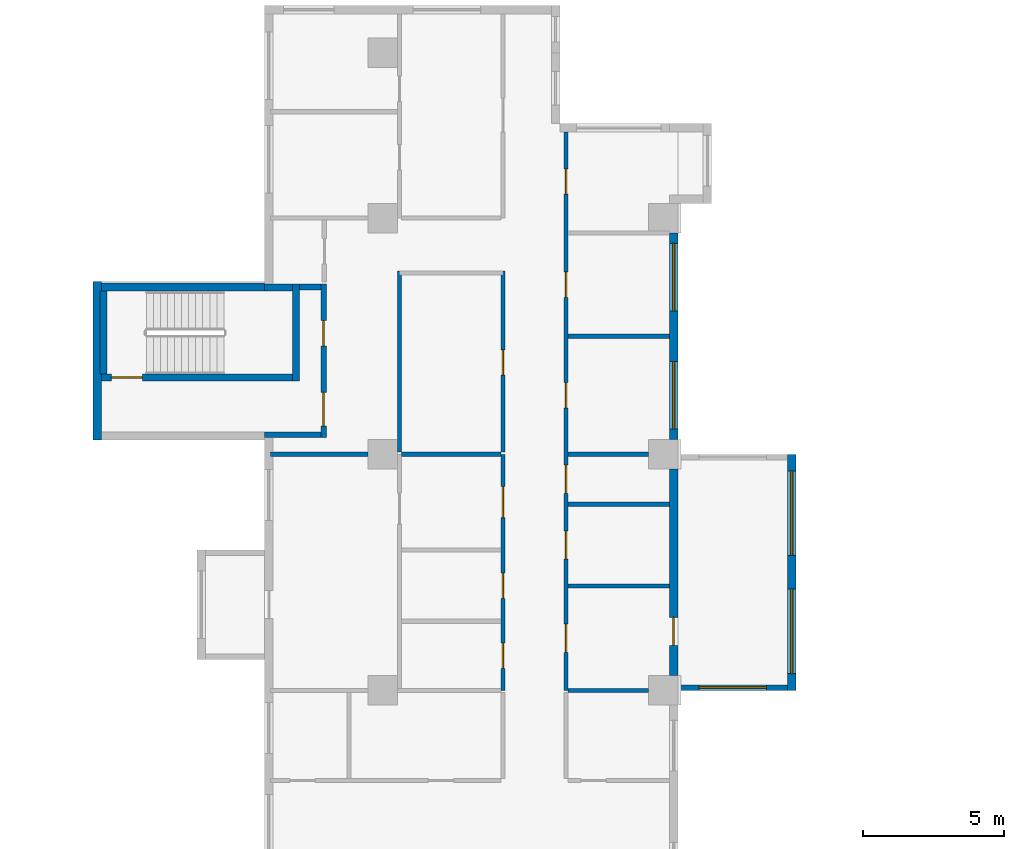
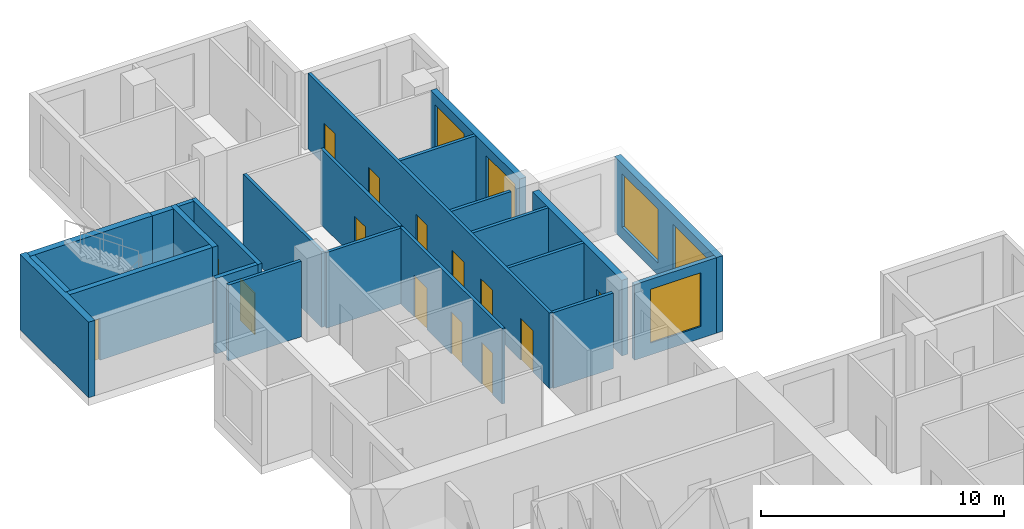
# One storey, part 7 of 15: 24 walls, 14 doors, 5 windows, 19 openings.
"""IFC4 building model written with IfcOpenShell, lengths in metres."""

import ifcopenshell
import ifcopenshell.guid

model = None  # the IFC model being written
_history = None  # IfcOwnerHistory: only IFC2X3 demands one
_inside = {}  # id of a spatial element -> (the spatial element, [elements in it])
_under = {}  # id of a project, library or spatial element -> (it, [spatial elements below it])
_declared = {}  # id of a project -> (the project, [libraries it declares])
_typed = {}  # id of a type object -> (the type object, [elements of that type])
_made_of = {}  # id of a material, layer set ... -> (it, [elements and type objects made of it])


def new_model(schema):
    """Start an empty IFC model of exactly this schema.

    Asked for "IFC4X3", IfcOpenShell would pick the latest addendum, in which some entities
    have other attributes; the version numbers below select the first issue.
    IFC2X3 requires an IfcOwnerHistory on every rooted entity: one is made here for all.
    """
    global model, _history
    if schema == "IFC4X3":
        model = ifcopenshell.file(schema_version=(4, 3, 0, 0))
    else:
        model = ifcopenshell.file(schema=schema)
    _inside.clear()
    _under.clear()
    _declared.clear()
    _typed.clear()
    _made_of.clear()
    _history = None
    if model.schema == "IFC2X3":
        org = make("IfcOrganization", Name="unknown")
        user = make(
            "IfcPersonAndOrganization",
            ThePerson=make("IfcPerson", FamilyName="unknown"),
            TheOrganization=org,
        )
        app = make(
            "IfcApplication",
            ApplicationDeveloper=org,
            Version="unknown",
            ApplicationFullName="unknown",
            ApplicationIdentifier="unknown",
        )
        _history = make(
            "IfcOwnerHistory",
            OwningUser=user,
            OwningApplication=app,
            ChangeAction="ADDED",
            CreationDate=0,
        )
    return model


def make(cls, **values):
    """One entity of the class cls with the attributes given. An attribute that is None is left unset."""
    return model.create_entity(
        cls, **{name: value for name, value in values.items() if value is not None}
    )


def rooted(cls, **values):
    """An entity with a GlobalId (a new one), such as an element, a storey or a relation."""
    return make(cls, GlobalId=ifcopenshell.guid.new(), OwnerHistory=_history, **values)


def si_unit(unit_type, name, prefix=None):
    """IfcSIUnit, for example si_unit("LENGTHUNIT", "METRE", prefix="MILLI")."""
    return make("IfcSIUnit", UnitType=unit_type, Prefix=prefix, Name=name)


def assignment(units):
    """IfcUnitAssignment: the units of a project."""
    return None if units is None else make("IfcUnitAssignment", Units=units)


def point(xyz):
    """IfcCartesianPoint."""
    return None if xyz is None else make("IfcCartesianPoint", Coordinates=xyz)


def direction(xyz):
    """IfcDirection."""
    return None if xyz is None else make("IfcDirection", DirectionRatios=xyz)


def frame(location, z_axis=None, x_axis=None):
    """IfcAxis2Placement3D, a coordinate frame: its origin and axes. An axis left out is left unset."""
    return make(
        "IfcAxis2Placement3D",
        Location=point(location),
        Axis=direction(z_axis),
        RefDirection=direction(x_axis),
    )


def frame_2d(location, x_axis=None):
    """IfcAxis2Placement2D, a coordinate frame in the plane: its origin and x axis."""
    return make(
        "IfcAxis2Placement2D", Location=point(location), RefDirection=direction(x_axis)
    )


def origin():
    """The frame at (0, 0, 0) with its axes left unset."""
    return frame((0.0, 0.0, 0.0))


def place(relative_to, where):
    """IfcLocalPlacement: puts the frame where relative to a parent placement (None: the world)."""
    return make(
        "IfcLocalPlacement", PlacementRelTo=relative_to, RelativePlacement=where
    )


def context(
    kind, dimensions, precision=None, world=None, true_north=None, identifier=None
):
    """IfcGeometricRepresentationContext, for example the 3D "Model" context."""
    return make(
        "IfcGeometricRepresentationContext",
        ContextIdentifier=identifier,
        ContextType=kind,
        CoordinateSpaceDimension=dimensions,
        Precision=precision,
        WorldCoordinateSystem=world,
        TrueNorth=true_north,
    )


def subcontext(parent, identifier, kind, view, scale=None):
    """IfcGeometricRepresentationSubContext, for example "Body" below "Model"."""
    return make(
        "IfcGeometricRepresentationSubContext",
        ContextIdentifier=identifier,
        ContextType=kind,
        ParentContext=parent,
        TargetScale=scale,
        TargetView=view,
    )


def project(units=None, contexts=None):
    """IfcProject with its units and contexts."""
    return rooted(
        "IfcProject",
        Name="project",
        RepresentationContexts=contexts,
        UnitsInContext=assignment(units),
    )


def spatial(cls, under=None, at=None, **own):
    """A site, building, storey or space (cls), placed at a placement, below another one or the project."""
    s = rooted(cls, ObjectPlacement=at, **own)
    if under is not None:
        _under.setdefault(under.id(), (under, []))[1].append(s)
    return s


def profile(cls, at=None, kind="AREA", **sizes):
    """A parametric profile (cls). Its sizes go by their IFC names, for example OverallWidth=200.0."""
    return make(cls, ProfileType=kind, Position=at, **sizes)


def rectangle(**sizes):
    """IfcRectangleProfileDef."""
    return profile("IfcRectangleProfileDef", **sizes)


def extrude(swept, where, along, depth):
    """IfcExtrudedAreaSolid: the profile swept, set in the frame where, extruded along a direction by depth."""
    return make(
        "IfcExtrudedAreaSolid",
        SweptArea=swept,
        Position=where,
        ExtrudedDirection=direction(along),
        Depth=depth,
    )


def shape(context_of_items, identifier, shape_type, items):
    """IfcShapeRepresentation: the items that make up one representation, for example the "Body"."""
    return make(
        "IfcShapeRepresentation",
        ContextOfItems=context_of_items,
        RepresentationIdentifier=identifier,
        RepresentationType=shape_type,
        Items=items,
    )


def source(mapping_origin, context_of_items, identifier, shape_type, items):
    """IfcRepresentationMap: a shape defined once, which mapped items show again and again."""
    return make(
        "IfcRepresentationMap",
        MappingOrigin=mapping_origin,
        MappedRepresentation=shape(context_of_items, identifier, shape_type, items),
    )


def transform(
    local_origin,
    x_axis=None,
    y_axis=None,
    z_axis=None,
    scale=None,
    scale2=None,
    scale3=None,
    uniform=True,
):
    """IfcCartesianTransformationOperator3D, or its non-uniform kind. x_axis, y_axis, z_axis: its Axis1, 2, 3."""
    if uniform:
        return make(
            "IfcCartesianTransformationOperator3D",
            Axis1=direction(x_axis),
            Axis2=direction(y_axis),
            LocalOrigin=point(local_origin),
            Scale=scale,
            Axis3=direction(z_axis),
        )
    return make(
        "IfcCartesianTransformationOperator3DnonUniform",
        Axis1=direction(x_axis),
        Axis2=direction(y_axis),
        LocalOrigin=point(local_origin),
        Scale=scale,
        Axis3=direction(z_axis),
        Scale2=scale2,
        Scale3=scale3,
    )


def mapped(mapping_source, mapping_target):
    """IfcMappedItem: shows the shape of a source again, moved by a transform."""
    return make(
        "IfcMappedItem", MappingSource=mapping_source, MappingTarget=mapping_target
    )


def material(Name=None, Category=None):
    """IfcMaterial."""
    return make("IfcMaterial", Name=Name, Category=Category)


def layer(
    of_material, thickness, ventilated=None, Name=None, Category=None, Priority=None
):
    """IfcMaterialLayer: one layer of a wall or slab, of a material (None: an air gap)."""
    return make(
        "IfcMaterialLayer",
        Material=of_material,
        LayerThickness=thickness,
        IsVentilated=ventilated,
        Name=Name,
        Category=Category,
        Priority=Priority,
    )


def layer_set(layers, Name=None):
    """IfcMaterialLayerSet."""
    return make("IfcMaterialLayerSet", MaterialLayers=layers, LayerSetName=Name)


def made_of(thing, what):
    """Note that an element or type object is made of a material, layer set ...; save() writes the relation."""
    if what is not None:
        _made_of.setdefault(what.id(), (what, []))[1].append(thing)
    return thing


def type_object(cls, material=None, **own):
    """A type object (cls), such as IfcWallType, which elements share."""
    return made_of(rooted(cls, **own), material)


def element(
    cls,
    number,
    at=None,
    inside=None,
    cuts=None,
    type_object=None,
    material=None,
    context=None,
    identifier="Body",
    shape_type=None,
    held_by="IfcProductDefinitionShape",
    body=None,
    shapes=None,
    **own,
):
    """One element of the class cls, such as IfcWall. Its Tag is "e" and its number.

    at: its placement. inside: the storey or other place that contains it. cuts: it is an
    opening in that element (IfcRelVoidsElement). A single representation is given by context,
    identifier, shape_type and body (its items); several are given by shapes. held_by: the class
    of the entity that holds the representations. save() writes the other relations.
    """
    e = rooted(cls, Tag="e%d" % number, ObjectPlacement=at, **own)
    if body is not None:
        shapes = [shape(context, identifier, shape_type, body)]
    if shapes is not None:
        e.Representation = make(held_by, Representations=shapes)
    if inside is not None:
        _inside.setdefault(inside.id(), (inside, []))[1].append(e)
    if cuts is not None:
        rooted(
            "IfcRelVoidsElement", RelatingBuildingElement=cuts, RelatedOpeningElement=e
        )
    if type_object is not None:
        _typed.setdefault(type_object.id(), (type_object, []))[1].append(e)
    return made_of(e, material)


def fill(opening, filler):
    """IfcRelFillsElement: the door or window that sits in an opening."""
    return rooted(
        "IfcRelFillsElement",
        RelatingOpeningElement=opening,
        RelatedBuildingElement=filler,
    )


def aggregate(whole, parts):
    """IfcRelAggregates: a whole, such as a stair, and the parts it consists of."""
    return rooted("IfcRelAggregates", RelatingObject=whole, RelatedObjects=parts)


def save(model, path):
    """Write the relations noted so far, then the file.

    IfcRelAggregates (storeys below a building ...), IfcRelContainedInSpatialStructure (elements
    in a storey), IfcRelDefinesByType, IfcRelAssociatesMaterial and IfcRelDeclares: one each for
    every whole, place, type object, material and project.
    """
    for whole, parts in _under.values():
        aggregate(whole, parts)
    for where, things in _inside.values():
        rooted(
            "IfcRelContainedInSpatialStructure",
            RelatedElements=things,
            RelatingStructure=where,
        )
    for kind, things in _typed.values():
        rooted("IfcRelDefinesByType", RelatedObjects=things, RelatingType=kind)
    for what, things in _made_of.values():
        rooted("IfcRelAssociatesMaterial", RelatedObjects=things, RelatingMaterial=what)
    for by, libraries in _declared.values():
        rooted("IfcRelDeclares", RelatingContext=by, RelatedDefinitions=libraries)
    model.write(path)


model = new_model("IFC4")

# Units and contexts
model_context = context("Model", 3, precision=1e-05, world=origin(), true_north=direction((0.0, 1.0)))
body_context = subcontext(model_context, "Body", "Model", "MODEL_VIEW")
ifc_project = project(units=[si_unit("LENGTHUNIT", "METRE"), si_unit("AREAUNIT", "SQUARE_METRE"), si_unit("VOLUMEUNIT", "CUBIC_METRE"), si_unit("PLANEANGLEUNIT", "RADIAN"), si_unit("MASSUNIT", "GRAM", prefix="KILO")], contexts=[model_context])

# Site, building, storey
site_placement = place(None, origin())
site = spatial("IfcSite", under=ifc_project, at=site_placement, CompositionType="ELEMENT")
building_placement = place(site_placement, origin())
building = spatial("IfcBuilding", under=site, at=building_placement, Name="Aurelian Terraces", CompositionType="ELEMENT")
storey_placement = place(building_placement, frame((0.0, 0.0, 137.1)))
storey = spatial("IfcBuildingStorey", under=building, at=storey_placement, Name="L30", CompositionType="ELEMENT", Elevation=137.1)

# Wall, opening, window
ifc_material_1 = material(Name="Concrete fc' 40 MPa", Category="concrete")
ifc_layer_1 = layer(ifc_material_1, 0.2)
ifc_layer_set_1 = layer_set([ifc_layer_1], Name="BOX BEARING WALL 200")
wall_type_1 = type_object("IfcWallType", Name="BOX BEARING WALL 200", PredefinedType="SOLIDWALL", material=ifc_layer_set_1)
shared_shape_1 = source(origin(), body_context, "Body", "SweptSolid", [
    extrude(rectangle(XDim=3.9, YDim=0.2, at=frame_2d((1.95, 0.0))), origin(), (0.0, 0.0, 1.0), 3.8),
])
wall_1_placement = place(storey_placement, frame((21.0, 29.5, 0.0), z_axis=(0.0, 0.0, 1.0), x_axis=(1.0, 0.0, 0.0)))
wall_1 = element("IfcWall", 1, at=wall_1_placement, inside=storey, type_object=wall_type_1, Name="Box return L30 J41.1", PredefinedType="SOLIDWALL", context=body_context, shape_type="MappedRepresentation", body=[
    mapped(shared_shape_1, transform((0.0, 0.0, 0.0), scale=1.0)),
])
shared_shape_2 = source(origin(), body_context, "Body", "SweptSolid", [
    extrude(rectangle(XDim=2.4, YDim=2.7, at=frame_2d((1.2, 1.35))), frame((0.0, 0.11, 0.0), z_axis=(0.0, -1.0, 0.0), x_axis=(1.0, 0.0, 0.0)), (0.0, 0.0, 1.0), 0.22),
])
opening_1_placement = place(wall_1_placement, frame((0.75, 0.0, 0.6)))
opening_1 = element("IfcOpeningElement", 2, at=opening_1_placement, cuts=wall_1, Name="Opening W2427", PredefinedType="OPENING", context=body_context, shape_type="MappedRepresentation", body=[
    mapped(shared_shape_2, transform((0.0, 0.0, 0.0), scale=1.0)),
])
ifc_material_2 = material(Name="Clear glazing", Category="glass")
window_type_1 = type_object("IfcWindowType", Name="W-2400x2700", PartitioningType="SINGLE_PANEL", PredefinedType="WINDOW", material=ifc_material_2)
shared_shape_3 = source(origin(), body_context, "Body", "SweptSolid", [
    extrude(rectangle(XDim=2.4, YDim=2.7, at=frame_2d((1.2, 1.35))), frame((0.0, 0.03, 0.0), z_axis=(0.0, -1.0, 0.0), x_axis=(1.0, 0.0, 0.0)), (0.0, 0.0, 1.0), 0.06),
])
window_1_placement = place(opening_1_placement, origin())
window_1 = element("IfcWindow", 3, at=window_1_placement, inside=storey, type_object=window_type_1, Name="Window L30 J41-S1", OverallHeight=2.7, OverallWidth=2.4, PartitioningType="SINGLE_PANEL", PredefinedType="WINDOW", context=body_context, shape_type="MappedRepresentation", body=[
    mapped(shared_shape_3, transform((0.0, 0.0, 0.0), scale=1.0)),
])
fill(opening_1, window_1)

# Wall, openings, windows
ifc_layer_2 = layer(ifc_material_1, 0.3)
ifc_layer_set_2 = layer_set([ifc_layer_2], Name="BOX BEARING WALL 300")
wall_type_2 = type_object("IfcWallType", Name="BOX BEARING WALL 300", PredefinedType="SOLIDWALL", material=ifc_layer_set_2)
shared_shape_4 = source(origin(), body_context, "Body", "SweptSolid", [
    extrude(rectangle(XDim=8.4, YDim=0.3, at=frame_2d((4.2, 0.0))), origin(), (0.0, 0.0, 1.0), 3.8),
])
wall_2_placement = place(storey_placement, frame((25.05, 29.4, 0.0), z_axis=(0.0, 0.0, 1.0), x_axis=(0.0, 1.0, 0.0)))
wall_2 = element("IfcWall", 4, at=wall_2_placement, inside=storey, type_object=wall_type_2, Name="Box wall L30 J41", PredefinedType="SOLIDWALL", context=body_context, shape_type="MappedRepresentation", body=[
    mapped(shared_shape_4, transform((0.0, 0.0, 0.0), scale=1.0)),
])
shared_shape_5 = source(origin(), body_context, "Body", "SweptSolid", [
    extrude(rectangle(XDim=3.0, YDim=2.7, at=frame_2d((1.5, 1.35))), frame((0.0, 0.16, 0.0), z_axis=(0.0, -1.0, 0.0), x_axis=(1.0, 0.0, 0.0)), (0.0, 0.0, 1.0), 0.32),
])
opening_2_placement = place(wall_2_placement, frame((0.6, 0.0, 0.6)))
opening_2 = element("IfcOpeningElement", 5, at=opening_2_placement, cuts=wall_2, Name="Opening W3027", PredefinedType="OPENING", context=body_context, shape_type="MappedRepresentation", body=[
    mapped(shared_shape_5, transform((0.0, 0.0, 0.0), scale=1.0)),
])
opening_3_placement = place(wall_2_placement, frame((4.8, 0.0, 0.6)))
opening_3 = element("IfcOpeningElement", 6, at=opening_3_placement, cuts=wall_2, Name="Opening W3027", PredefinedType="OPENING", context=body_context, shape_type="MappedRepresentation", body=[
    mapped(shared_shape_5, transform((0.0, 0.0, 0.0), scale=1.0)),
])
window_type_2 = type_object("IfcWindowType", Name="W-3000x2700", PartitioningType="SINGLE_PANEL", PredefinedType="WINDOW", material=ifc_material_2)
shared_shape_6 = source(origin(), body_context, "Body", "SweptSolid", [
    extrude(rectangle(XDim=3.0, YDim=2.7, at=frame_2d((1.5, 1.35))), frame((0.0, 0.03, 0.0), z_axis=(0.0, -1.0, 0.0), x_axis=(1.0, 0.0, 0.0)), (0.0, 0.0, 1.0), 0.06),
])
window_2_placement = place(opening_2_placement, origin())
window_2 = element("IfcWindow", 7, at=window_2_placement, inside=storey, type_object=window_type_2, Name="Window L30 J41-F1", OverallHeight=2.7, OverallWidth=3.0, PartitioningType="SINGLE_PANEL", PredefinedType="WINDOW", context=body_context, shape_type="MappedRepresentation", body=[
    mapped(shared_shape_6, transform((0.0, 0.0, 0.0), scale=1.0)),
])
fill(opening_2, window_2)
window_3_placement = place(opening_3_placement, origin())
window_3 = element("IfcWindow", 8, at=window_3_placement, inside=storey, type_object=window_type_2, Name="Window L30 J41-F2", OverallHeight=2.7, OverallWidth=3.0, PartitioningType="SINGLE_PANEL", PredefinedType="WINDOW", context=body_context, shape_type="MappedRepresentation", body=[
    mapped(shared_shape_6, transform((0.0, 0.0, 0.0), scale=1.0)),
])
fill(opening_3, window_3)

# Wall, opening, door
ifc_material_3 = material(Name="Terracotta rainscreen cladding", Category="masonry")
ifc_layer_3 = layer(ifc_material_3, 0.3)
ifc_layer_set_3 = layer_set([ifc_layer_3], Name="EW-300")
wall_type_3 = type_object("IfcWallType", Name="EW-300", PredefinedType="STANDARD", material=ifc_layer_set_3)
shared_shape_7 = source(origin(), body_context, "Body", "SweptSolid", [
    extrude(rectangle(XDim=7.35, YDim=0.3, at=frame_2d((3.675, 0.0))), origin(), (0.0, 0.0, 1.0), 3.8),
])
wall_3_placement = place(storey_placement, frame((20.85, 29.925, 0.0), z_axis=(0.0, 0.0, 1.0), x_axis=(0.0, 1.0, 0.0)))
wall_3 = element("IfcWall", 9, at=wall_3_placement, inside=storey, type_object=wall_type_3, Name="External wall L30 F08.22", PredefinedType="STANDARD", context=body_context, shape_type="MappedRepresentation", body=[
    mapped(shared_shape_7, transform((0.0, 0.0, 0.0), scale=1.0)),
])
shared_shape_8 = source(origin(), body_context, "Body", "SweptSolid", [
    extrude(rectangle(XDim=1.0, YDim=2.1, at=frame_2d((0.5, 1.05))), frame((0.0, 0.16, 0.0), z_axis=(0.0, -1.0, 0.0), x_axis=(1.0, 0.0, 0.0)), (0.0, 0.0, 1.0), 0.32),
])
opening_4_placement = place(wall_3_placement, frame((1.075, 0.0, 0.0)))
opening_4 = element("IfcOpeningElement", 10, at=opening_4_placement, cuts=wall_3, Name="Opening 830003", PredefinedType="OPENING", context=body_context, shape_type="MappedRepresentation", body=[
    mapped(shared_shape_8, transform((0.0, 0.0, 0.0), scale=1.0)),
])
ifc_material_4 = material(Name="Timber door leaf", Category="wood")
door_type_1 = type_object("IfcDoorType", Name="Room door 1000x2100 left", OperationType="SINGLE_SWING_LEFT", PredefinedType="DOOR", material=ifc_material_4)
shared_shape_9 = source(origin(), body_context, "Body", "SweptSolid", [
    extrude(rectangle(XDim=1.0, YDim=2.1, at=frame_2d((0.5, 1.05))), frame((0.0, 0.025, 0.0), z_axis=(0.0, -1.0, 0.0), x_axis=(1.0, 0.0, 0.0)), (0.0, 0.0, 1.0), 0.05),
])
door_1_placement = place(opening_4_placement, origin())
door_1 = element("IfcDoor", 11, at=door_1_placement, inside=storey, type_object=door_type_1, Name="Door 830003", OperationType="SINGLE_SWING_LEFT", OverallHeight=2.1, OverallWidth=1.0, PredefinedType="DOOR", context=body_context, shape_type="MappedRepresentation", body=[
    mapped(shared_shape_9, transform((0.0, 0.0, 0.0), scale=1.0)),
])
fill(opening_4, door_1)

# Wall, openings, windows
wall_4_placement = place(storey_placement, frame((20.85, 38.325, 0.0), z_axis=(0.0, 0.0, 1.0), x_axis=(0.0, 1.0, 0.0)))
wall_4 = element("IfcWall", 12, at=wall_4_placement, inside=storey, type_object=wall_type_3, Name="External wall L30 F08.23", PredefinedType="STANDARD", context=body_context, shape_type="MappedRepresentation", body=[
    mapped(shared_shape_7, transform((0.0, 0.0, 0.0), scale=1.0)),
])
shared_shape_10 = source(origin(), body_context, "Body", "SweptSolid", [
    extrude(rectangle(XDim=2.4, YDim=2.7, at=frame_2d((1.2, 1.35))), frame((0.0, 0.16, 0.0), z_axis=(0.0, -1.0, 0.0), x_axis=(1.0, 0.0, 0.0)), (0.0, 0.0, 1.0), 0.32),
])
opening_5_placement = place(wall_4_placement, frame((0.375, 0.0, 0.6)))
opening_5 = element("IfcOpeningElement", 13, at=opening_5_placement, cuts=wall_4, Name="Opening W2427", PredefinedType="OPENING", context=body_context, shape_type="MappedRepresentation", body=[
    mapped(shared_shape_10, transform((0.0, 0.0, 0.0), scale=1.0)),
])
opening_6_placement = place(wall_4_placement, frame((4.575, 0.0, 0.6)))
opening_6 = element("IfcOpeningElement", 14, at=opening_6_placement, cuts=wall_4, Name="Opening W2427", PredefinedType="OPENING", context=body_context, shape_type="MappedRepresentation", body=[
    mapped(shared_shape_10, transform((0.0, 0.0, 0.0), scale=1.0)),
])
window_4_placement = place(opening_5_placement, origin())
window_4 = element("IfcWindow", 15, at=window_4_placement, inside=storey, type_object=window_type_1, Name="Window L30 L30-F08-23-0", OverallHeight=2.7, OverallWidth=2.4, PartitioningType="SINGLE_PANEL", PredefinedType="WINDOW", context=body_context, shape_type="MappedRepresentation", body=[
    mapped(shared_shape_3, transform((0.0, 0.0, 0.0), scale=1.0)),
])
fill(opening_5, window_4)
window_5_placement = place(opening_6_placement, origin())
window_5 = element("IfcWindow", 16, at=window_5_placement, inside=storey, type_object=window_type_1, Name="Window L30 L30-F08-23-1", OverallHeight=2.7, OverallWidth=2.4, PartitioningType="SINGLE_PANEL", PredefinedType="WINDOW", context=body_context, shape_type="MappedRepresentation", body=[
    mapped(shared_shape_3, transform((0.0, 0.0, 0.0), scale=1.0)),
])
fill(opening_6, window_5)

# Walls
ifc_layer_4 = layer(ifc_material_1, 0.3)
ifc_layer_set_4 = layer_set([ifc_layer_4], Name="STAIR BAY WALL 300")
wall_type_4 = type_object("IfcWallType", Name="STAIR BAY WALL 300", PredefinedType="SOLIDWALL", material=ifc_layer_set_4)
shared_shape_11 = source(origin(), body_context, "Body", "SweptSolid", [
    extrude(rectangle(XDim=6.1, YDim=0.3, at=frame_2d((3.05, 0.0))), origin(), (0.0, 0.0, 1.0), 3.8),
])
wall_5_placement = place(storey_placement, frame((6.3, 43.75, 0.0), z_axis=(0.0, 0.0, 1.0), x_axis=(-1.0, 0.0, 0.0)))
element("IfcWall", 17, at=wall_5_placement, inside=storey, type_object=wall_type_4, Name="Stair bay wall L30 F13.30", PredefinedType="SOLIDWALL", context=body_context, shape_type="MappedRepresentation", body=[
    mapped(shared_shape_11, transform((0.0, 0.0, 0.0), scale=1.0)),
])
shared_shape_12 = source(origin(), body_context, "Body", "SweptSolid", [
    extrude(rectangle(XDim=5.65, YDim=0.3, at=frame_2d((2.825, 0.0))), origin(), (0.0, 0.0, 1.0), 3.8),
])
wall_6_placement = place(storey_placement, frame((0.35, 43.95, 0.0), z_axis=(0.0, 0.0, 1.0), x_axis=(0.0, -1.0, 0.0)))
element("IfcWall", 18, at=wall_6_placement, inside=storey, type_object=wall_type_4, Name="Stair bay wall L30 F14.31", PredefinedType="SOLIDWALL", context=body_context, shape_type="MappedRepresentation", body=[
    mapped(shared_shape_12, transform((0.0, 0.0, 0.0), scale=1.0)),
])

# Wall, opening, door
ifc_layer_5 = layer(ifc_material_1, 0.25)
ifc_layer_set_5 = layer_set([ifc_layer_5], Name="Stair enclosure wall 250")
wall_type_5 = type_object("IfcWallType", Name="Stair enclosure wall 250", PredefinedType="SOLIDWALL", material=ifc_layer_set_5)
shared_shape_13 = source(origin(), body_context, "Body", "SweptSolid", [
    extrude(rectangle(XDim=7.0, YDim=0.25, at=frame_2d((3.5, 0.0))), origin(), (0.0, 0.0, 1.0), 3.8),
])
wall_7_placement = place(storey_placement, frame((0.3, 40.525, 0.0), z_axis=(0.0, 0.0, 1.0), x_axis=(1.0, 0.0, 0.0)))
wall_7 = element("IfcWall", 19, at=wall_7_placement, inside=storey, type_object=wall_type_5, Name="L30 core wall ST-S3-W", PredefinedType="SOLIDWALL", context=body_context, shape_type="MappedRepresentation", body=[
    mapped(shared_shape_13, transform((0.0, 0.0, 0.0), scale=1.0)),
])
shared_shape_14 = source(origin(), body_context, "Body", "SweptSolid", [
    extrude(rectangle(XDim=1.1, YDim=2.1, at=frame_2d((0.55, 1.05))), frame((0.0, 0.135, 0.0), z_axis=(0.0, -1.0, 0.0), x_axis=(1.0, 0.0, 0.0)), (0.0, 0.0, 1.0), 0.27),
])
opening_7_placement = place(wall_7_placement, frame((0.55, 0.0, 0.0)))
opening_7 = element("IfcOpeningElement", 20, at=opening_7_placement, cuts=wall_7, Name="Opening 63318", PredefinedType="OPENING", context=body_context, shape_type="MappedRepresentation", body=[
    mapped(shared_shape_14, transform((0.0, 0.0, 0.0), scale=1.0)),
])
ifc_material_5 = material(Name="Steel door leaf", Category="steel")
door_type_2 = type_object("IfcDoorType", Name="Core fire door 1100x2100 right", OperationType="SINGLE_SWING_RIGHT", PredefinedType="DOOR", material=ifc_material_5)
shared_shape_15 = source(origin(), body_context, "Body", "SweptSolid", [
    extrude(rectangle(XDim=1.1, YDim=2.1, at=frame_2d((0.55, 1.05))), frame((0.0, 0.025, 0.0), z_axis=(0.0, -1.0, 0.0), x_axis=(1.0, 0.0, 0.0)), (0.0, 0.0, 1.0), 0.05),
])
door_2_placement = place(opening_7_placement, origin())
door_2 = element("IfcDoor", 21, at=door_2_placement, inside=storey, type_object=door_type_2, Name="Stair door 63318", OperationType="SINGLE_SWING_RIGHT", OverallHeight=2.1, OverallWidth=1.1, PredefinedType="DOOR", context=body_context, shape_type="MappedRepresentation", body=[
    mapped(shared_shape_15, transform((0.0, 0.0, 0.0), scale=1.0)),
])
fill(opening_7, door_2)

# Walls
shared_shape_16 = source(origin(), body_context, "Body", "SweptSolid", [
    extrude(rectangle(XDim=3.45, YDim=0.25, at=frame_2d((1.725, 0.0))), origin(), (0.0, 0.0, 1.0), 3.8),
])
wall_8_placement = place(storey_placement, frame((7.425, 40.4, 0.0), z_axis=(0.0, 0.0, 1.0), x_axis=(0.0, 1.0, 0.0)))
element("IfcWall", 22, at=wall_8_placement, inside=storey, type_object=wall_type_5, Name="L30 core wall ST-S3-N", PredefinedType="SOLIDWALL", context=body_context, shape_type="MappedRepresentation", body=[
    mapped(shared_shape_16, transform((0.0, 0.0, 0.0), scale=1.0)),
])
shared_shape_17 = source(origin(), body_context, "Body", "SweptSolid", [
    extrude(rectangle(XDim=2.95, YDim=0.25, at=frame_2d((1.475, 0.0))), origin(), (0.0, 0.0, 1.0), 3.8),
])
wall_9_placement = place(storey_placement, frame((0.575, 40.65, 0.0), z_axis=(0.0, 0.0, 1.0), x_axis=(0.0, 1.0, 0.0)))
element("IfcWall", 23, at=wall_9_placement, inside=storey, type_object=wall_type_5, Name="L30 core wall ST-S3-SS", PredefinedType="SOLIDWALL", context=body_context, shape_type="MappedRepresentation", body=[
    mapped(shared_shape_17, transform((0.0, 0.0, 0.0), scale=1.0)),
])

# Wall, openings, doors
ifc_material_6 = material(Name="Gypsum board on steel studs", Category="steel")
ifc_layer_6 = layer(ifc_material_6, 0.2)
ifc_layer_set_6 = layer_set([ifc_layer_6], Name="Core partition 200")
wall_type_6 = type_object("IfcWallType", Name="Core partition 200", PredefinedType="PARTITIONING", material=ifc_layer_set_6)
shared_shape_18 = source(origin(), body_context, "Body", "SweptSolid", [
    extrude(rectangle(XDim=5.45, YDim=0.2, at=frame_2d((2.725, 0.0))), origin(), (0.0, 0.0, 1.0), 3.8),
])
wall_10_placement = place(storey_placement, frame((8.4, 38.4, 0.0), z_axis=(0.0, 0.0, 1.0), x_axis=(0.0, 1.0, 0.0)))
wall_10 = element("IfcWall", 24, at=wall_10_placement, inside=storey, type_object=wall_type_6, Name="L30 core wall ST-S3-BN", PredefinedType="PARTITIONING", context=body_context, shape_type="MappedRepresentation", body=[
    mapped(shared_shape_18, transform((0.0, 0.0, 0.0), scale=1.0)),
])
shared_shape_19 = source(origin(), body_context, "Body", "SweptSolid", [
    extrude(rectangle(XDim=1.2, YDim=2.1, at=frame_2d((0.6, 1.05))), frame((0.0, 0.11, 0.0), z_axis=(0.0, -1.0, 0.0), x_axis=(1.0, 0.0, 0.0)), (0.0, 0.0, 1.0), 0.22),
])
opening_8_placement = place(wall_10_placement, frame((0.4, 0.0, 0.0)))
opening_8 = element("IfcOpeningElement", 25, at=opening_8_placement, cuts=wall_10, Name="Opening 63319", PredefinedType="OPENING", context=body_context, shape_type="MappedRepresentation", body=[
    mapped(shared_shape_19, transform((0.0, 0.0, 0.0), scale=1.0)),
])
shared_shape_20 = source(origin(), body_context, "Body", "SweptSolid", [
    extrude(rectangle(XDim=0.9, YDim=2.1, at=frame_2d((0.45, 1.05))), frame((0.0, 0.11, 0.0), z_axis=(0.0, -1.0, 0.0), x_axis=(1.0, 0.0, 0.0)), (0.0, 0.0, 1.0), 0.22),
])
opening_9_placement = place(wall_10_placement, frame((3.25, 0.0, 0.0)))
opening_9 = element("IfcOpeningElement", 26, at=opening_9_placement, cuts=wall_10, Name="Opening 63320", PredefinedType="OPENING", context=body_context, shape_type="MappedRepresentation", body=[
    mapped(shared_shape_20, transform((0.0, 0.0, 0.0), scale=1.0)),
])
door_type_3 = type_object("IfcDoorType", Name="Core riser door 900x2100 right", OperationType="SINGLE_SWING_RIGHT", PredefinedType="DOOR", material=ifc_material_5)
shared_shape_21 = source(origin(), body_context, "Body", "SweptSolid", [
    extrude(rectangle(XDim=0.9, YDim=2.1, at=frame_2d((0.45, 1.05))), frame((0.0, 0.025, 0.0), z_axis=(0.0, -1.0, 0.0), x_axis=(1.0, 0.0, 0.0)), (0.0, 0.0, 1.0), 0.05),
])
door_3_placement = place(opening_9_placement, origin())
door_3 = element("IfcDoor", 27, at=door_3_placement, inside=storey, type_object=door_type_3, Name="Riser door 63320", OperationType="SINGLE_SWING_RIGHT", OverallHeight=2.1, OverallWidth=0.9, PredefinedType="DOOR", context=body_context, shape_type="MappedRepresentation", body=[
    mapped(shared_shape_21, transform((0.0, 0.0, 0.0), scale=1.0)),
])
fill(opening_9, door_3)
door_type_4 = type_object("IfcDoorType", Name="Core fire door 1200x2100", OperationType="SINGLE_SWING_LEFT", PredefinedType="DOOR", material=ifc_material_5)
shared_shape_22 = source(origin(), body_context, "Body", "SweptSolid", [
    extrude(rectangle(XDim=1.2, YDim=2.1, at=frame_2d((0.6, 1.05))), frame((0.0, 0.025, 0.0), z_axis=(0.0, -1.0, 0.0), x_axis=(1.0, 0.0, 0.0)), (0.0, 0.0, 1.0), 0.05),
])
door_4_placement = place(opening_8_placement, origin())
door_4 = element("IfcDoor", 28, at=door_4_placement, inside=storey, type_object=door_type_4, Name="Vestibule door 63319", OperationType="SINGLE_SWING_LEFT", OverallHeight=2.1, OverallWidth=1.2, PredefinedType="DOOR", context=body_context, shape_type="MappedRepresentation", body=[
    mapped(shared_shape_22, transform((0.0, 0.0, 0.0), scale=1.0)),
])
fill(opening_8, door_4)

# Walls
shared_shape_23 = source(origin(), body_context, "Body", "SweptSolid", [
    extrude(rectangle(XDim=0.75, YDim=0.2, at=frame_2d((0.375, 0.0))), origin(), (0.0, 0.0, 1.0), 3.8),
])
wall_11_placement = place(storey_placement, frame((7.55, 43.75, 0.0), z_axis=(0.0, 0.0, 1.0), x_axis=(1.0, 0.0, 0.0)))
element("IfcWall", 29, at=wall_11_placement, inside=storey, type_object=wall_type_6, Name="L30 core wall ST-S3-RE", PredefinedType="PARTITIONING", context=body_context, shape_type="MappedRepresentation", body=[
    mapped(shared_shape_23, transform((0.0, 0.0, 0.0), scale=1.0)),
])
shared_shape_24 = source(origin(), body_context, "Body", "SweptSolid", [
    extrude(rectangle(XDim=1.0, YDim=0.25, at=frame_2d((0.5, 0.0))), origin(), (0.0, 0.0, 1.0), 3.8),
])
wall_12_placement = place(storey_placement, frame((6.3, 43.725, 0.0), z_axis=(0.0, 0.0, 1.0), x_axis=(1.0, 0.0, 0.0)))
element("IfcWall", 30, at=wall_12_placement, inside=storey, type_object=wall_type_5, Name="L30 core wall ST-S3-E", PredefinedType="SOLIDWALL", context=body_context, shape_type="MappedRepresentation", body=[
    mapped(shared_shape_24, transform((0.0, 0.0, 0.0), scale=1.0)),
])
shared_shape_25 = source(origin(), body_context, "Body", "SweptSolid", [
    extrude(rectangle(XDim=2.0, YDim=0.2, at=frame_2d((1.0, 0.0))), origin(), (0.0, 0.0, 1.0), 3.8),
])
wall_13_placement = place(storey_placement, frame((6.3, 38.5, 0.0), z_axis=(0.0, 0.0, 1.0), x_axis=(1.0, 0.0, 0.0)))
element("IfcWall", 31, at=wall_13_placement, inside=storey, type_object=wall_type_6, Name="L30 core wall ST-S3-VW", PredefinedType="PARTITIONING", context=body_context, shape_type="MappedRepresentation", body=[
    mapped(shared_shape_25, transform((0.0, 0.0, 0.0), scale=1.0)),
])
ifc_layer_7 = layer(ifc_material_6, 0.15)
ifc_layer_set_7 = layer_set([ifc_layer_7], Name="Partition 150")
wall_type_7 = type_object("IfcWallType", Name="Partition 150", PredefinedType="PARTITIONING", material=ifc_layer_set_7)
shared_shape_26 = source(origin(), body_context, "Body", "SweptSolid", [
    extrude(rectangle(XDim=6.45, YDim=0.15, at=frame_2d((3.225, 0.0))), origin(), (0.0, 0.0, 1.0), 3.8),
])
wall_14_placement = place(storey_placement, frame((11.1, 44.325, 0.0), z_axis=(0.0, 0.0, 1.0), x_axis=(0.0, -1.0, 0.0)))
element("IfcWall", 32, at=wall_14_placement, inside=storey, type_object=wall_type_7, Name="Partition", PredefinedType="PARTITIONING", context=body_context, shape_type="MappedRepresentation", body=[
    mapped(shared_shape_26, transform((0.0, 0.0, 0.0), scale=1.0)),
])

# Wall, opening, door
ifc_layer_8 = layer(ifc_material_6, 0.15)
ifc_layer_set_8 = layer_set([ifc_layer_8], Name="Fire partition 150")
wall_type_8 = type_object("IfcWallType", Name="Fire partition 150", PredefinedType="PARTITIONING", material=ifc_layer_set_8)
wall_15_placement = place(storey_placement, frame((14.775, 37.875, 0.0), z_axis=(0.0, 0.0, 1.0), x_axis=(0.0, 1.0, 0.0)))
wall_15 = element("IfcWall", 33, at=wall_15_placement, inside=storey, type_object=wall_type_8, Name="Corridor wall", PredefinedType="PARTITIONING", context=body_context, shape_type="MappedRepresentation", body=[
    mapped(shared_shape_26, transform((0.0, 0.0, 0.0), scale=1.0)),
])
shared_shape_27 = source(origin(), body_context, "Body", "SweptSolid", [
    extrude(rectangle(XDim=0.9, YDim=2.1, at=frame_2d((0.45, 1.05))), frame((0.0, 0.085, 0.0), z_axis=(0.0, -1.0, 0.0), x_axis=(1.0, 0.0, 0.0)), (0.0, 0.0, 1.0), 0.17),
])
opening_10_placement = place(wall_15_placement, frame((2.7375, 0.0, 0.0)))
opening_10 = element("IfcOpeningElement", 34, at=opening_10_placement, cuts=wall_15, Name="Opening 730035", PredefinedType="OPENING", context=body_context, shape_type="MappedRepresentation", body=[
    mapped(shared_shape_27, transform((0.0, 0.0, 0.0), scale=1.0)),
])
door_type_5 = type_object("IfcDoorType", Name="Room door 900x2100 right", OperationType="SINGLE_SWING_RIGHT", PredefinedType="DOOR", material=ifc_material_4)
door_5_placement = place(opening_10_placement, origin())
door_5 = element("IfcDoor", 35, at=door_5_placement, inside=storey, type_object=door_type_5, Name="Door 730035", OperationType="SINGLE_SWING_RIGHT", OverallHeight=2.1, OverallWidth=0.9, PredefinedType="DOOR", context=body_context, shape_type="MappedRepresentation", body=[
    mapped(shared_shape_21, transform((0.0, 0.0, 0.0), scale=1.0)),
])
fill(opening_10, door_5)

# Walls
shared_shape_28 = source(origin(), body_context, "Body", "SweptSolid", [
    extrude(rectangle(XDim=3.6, YDim=0.15, at=frame_2d((1.8, 0.0))), origin(), (0.0, 0.0, 1.0), 3.8),
])
for number, where, z_axis, x_axis, name in (
    (36, (17.1, 33.1133, 0.0), (0.0, 0.0, 1.0), (1.0, 0.0, 0.0), "Partition"),
    (37, (17.1, 36.024, 0.0), (0.0, 0.0, 1.0), (1.0, 0.0, 0.0), "Partition"),
    (38, (20.7, 42.0, 0.0), (0.0, 0.0, 1.0), (-1.0, 0.0, 0.0), "Partition"),
):
    element("IfcWall", number, at=place(storey_placement, frame(where, z_axis=z_axis, x_axis=x_axis)), inside=storey, type_object=wall_type_7, Name=name, PredefinedType="PARTITIONING", context=body_context, shape_type="MappedRepresentation", body=[
        mapped(shared_shape_28, transform((0.0, 0.0, 0.0), scale=1.0)),
    ])

# Wall, openings, doors
shared_shape_29 = source(origin(), body_context, "Body", "SweptSolid", [
    extrude(rectangle(XDim=8.4, YDim=0.15, at=frame_2d((4.2, 0.0))), origin(), (0.0, 0.0, 1.0), 3.8),
])
wall_16_placement = place(storey_placement, frame((14.775, 29.4, 0.0), z_axis=(0.0, 0.0, 1.0), x_axis=(0.0, 1.0, 0.0)))
wall_16 = element("IfcWall", 39, at=wall_16_placement, inside=storey, type_object=wall_type_8, Name="Corridor wall", PredefinedType="PARTITIONING", context=body_context, shape_type="MappedRepresentation", body=[
    mapped(shared_shape_29, transform((0.0, 0.0, 0.0), scale=1.0)),
])
shared_shape_30 = source(origin(), body_context, "Body", "SweptSolid", [
    extrude(rectangle(XDim=1.1, YDim=2.1, at=frame_2d((0.55, 1.05))), frame((0.0, 0.085, 0.0), z_axis=(0.0, -1.0, 0.0), x_axis=(1.0, 0.0, 0.0)), (0.0, 0.0, 1.0), 0.17),
])
opening_11_placement = place(wall_16_placement, frame((6.1456, 0.0, 0.0)))
opening_11 = element("IfcOpeningElement", 40, at=opening_11_placement, cuts=wall_16, Name="Opening 730037", PredefinedType="OPENING", context=body_context, shape_type="MappedRepresentation", body=[
    mapped(shared_shape_30, transform((0.0, 0.0, 0.0), scale=1.0)),
])
opening_12_placement = place(wall_16_placement, frame((0.7806, 0.0, 0.0)))
opening_12 = element("IfcOpeningElement", 41, at=opening_12_placement, cuts=wall_16, Name="Opening 730039", PredefinedType="OPENING", context=body_context, shape_type="MappedRepresentation", body=[
    mapped(shared_shape_27, transform((0.0, 0.0, 0.0), scale=1.0)),
])
opening_13_placement = place(wall_16_placement, frame((3.2762, 0.0, 0.0)))
opening_13 = element("IfcOpeningElement", 42, at=opening_13_placement, cuts=wall_16, Name="Opening 730040", PredefinedType="OPENING", context=body_context, shape_type="MappedRepresentation", body=[
    mapped(shared_shape_27, transform((0.0, 0.0, 0.0), scale=1.0)),
])
door_type_6 = type_object("IfcDoorType", Name="Room door 900x2100 left", OperationType="SINGLE_SWING_LEFT", PredefinedType="DOOR", material=ifc_material_4)
door_6_placement = place(opening_12_placement, origin())
door_6 = element("IfcDoor", 43, at=door_6_placement, inside=storey, type_object=door_type_6, Name="Door 730039", OperationType="SINGLE_SWING_LEFT", OverallHeight=2.1, OverallWidth=0.9, PredefinedType="DOOR", context=body_context, shape_type="MappedRepresentation", body=[
    mapped(shared_shape_21, transform((0.0, 0.0, 0.0), scale=1.0)),
])
fill(opening_12, door_6)
door_7_placement = place(opening_13_placement, origin())
door_7 = element("IfcDoor", 44, at=door_7_placement, inside=storey, type_object=door_type_5, Name="Door 730040", OperationType="SINGLE_SWING_RIGHT", OverallHeight=2.1, OverallWidth=0.9, PredefinedType="DOOR", context=body_context, shape_type="MappedRepresentation", body=[
    mapped(shared_shape_21, transform((0.0, 0.0, 0.0), scale=1.0)),
])
fill(opening_13, door_7)
door_type_7 = type_object("IfcDoorType", Name="Room door 1100x2100 left", OperationType="SINGLE_SWING_LEFT", PredefinedType="DOOR", material=ifc_material_4)
door_8_placement = place(opening_11_placement, origin())
door_8 = element("IfcDoor", 45, at=door_8_placement, inside=storey, type_object=door_type_7, Name="Door 730037", OperationType="SINGLE_SWING_LEFT", OverallHeight=2.1, OverallWidth=1.1, PredefinedType="DOOR", context=body_context, shape_type="MappedRepresentation", body=[
    mapped(shared_shape_15, transform((0.0, 0.0, 0.0), scale=1.0)),
])
fill(opening_11, door_8)

# Walls
shared_shape_31 = source(origin(), body_context, "Body", "SweptSolid", [
    extrude(rectangle(XDim=2.851, YDim=0.15, at=frame_2d((1.4255, 0.0))), origin(), (0.0, 0.0, 1.0), 3.8),
])
for number, where, z_axis, x_axis, name in (
    (46, (19.951, 29.4, 0.0), (0.0, 0.0, 1.0), (-1.0, 0.0, 0.0), "Partition"),
    (47, (19.951, 37.8, 0.0), (0.0, 0.0, 1.0), (-1.0, 0.0, 0.0), "Partition"),
):
    element("IfcWall", number, at=place(storey_placement, frame(where, z_axis=z_axis, x_axis=x_axis)), inside=storey, type_object=wall_type_7, Name=name, PredefinedType="PARTITIONING", context=body_context, shape_type="MappedRepresentation", body=[
        mapped(shared_shape_31, transform((0.0, 0.0, 0.0), scale=1.0)),
    ])
shared_shape_32 = source(origin(), body_context, "Body", "SweptSolid", [
    extrude(rectangle(XDim=3.471, YDim=0.15, at=frame_2d((1.7355, 0.0))), origin(), (0.0, 0.0, 1.0), 3.8),
])
wall_17_placement = place(storey_placement, frame((9.976, 37.8, 0.0), z_axis=(0.0, 0.0, 1.0), x_axis=(-1.0, 0.0, 0.0)))
element("IfcWall", 48, at=wall_17_placement, inside=storey, type_object=wall_type_7, Name="Partition", PredefinedType="PARTITIONING", context=body_context, shape_type="MappedRepresentation", body=[
    mapped(shared_shape_32, transform((0.0, 0.0, 0.0), scale=1.0)),
])
shared_shape_33 = source(origin(), body_context, "Body", "SweptSolid", [
    extrude(rectangle(XDim=3.525, YDim=0.15, at=frame_2d((1.7625, 0.0))), origin(), (0.0, 0.0, 1.0), 3.8),
])
wall_18_placement = place(storey_placement, frame((14.7, 37.8, 0.0), z_axis=(0.0, 0.0, 1.0), x_axis=(-1.0, 0.0, 0.0)))
element("IfcWall", 49, at=wall_18_placement, inside=storey, type_object=wall_type_7, Name="Partition", PredefinedType="PARTITIONING", context=body_context, shape_type="MappedRepresentation", body=[
    mapped(shared_shape_33, transform((0.0, 0.0, 0.0), scale=1.0)),
])

# Wall, openings, doors
shared_shape_34 = source(origin(), body_context, "Body", "SweptSolid", [
    extrude(rectangle(XDim=19.86, YDim=0.15, at=frame_2d((9.93, 0.0))), origin(), (0.0, 0.0, 1.0), 3.8),
])
wall_19_placement = place(storey_placement, frame((17.025, 49.26, 0.0), z_axis=(0.0, 0.0, 1.0), x_axis=(0.0, -1.0, 0.0)))
wall_19 = element("IfcWall", 50, at=wall_19_placement, inside=storey, type_object=wall_type_8, Name="Corridor wall", PredefinedType="PARTITIONING", context=body_context, shape_type="MappedRepresentation", body=[
    mapped(shared_shape_34, transform((0.0, 0.0, 0.0), scale=1.0)),
])
shared_shape_35 = source(origin(), body_context, "Body", "SweptSolid", [
    extrude(rectangle(XDim=1.0, YDim=2.1, at=frame_2d((0.5, 1.05))), frame((0.0, 0.085, 0.0), z_axis=(0.0, -1.0, 0.0), x_axis=(1.0, 0.0, 0.0)), (0.0, 0.0, 1.0), 0.17),
])
opening_14_placement = place(wall_19_placement, frame((17.5033, 0.0, 0.0)))
opening_14 = element("IfcOpeningElement", 51, at=opening_14_placement, cuts=wall_19, Name="Opening 730044", PredefinedType="OPENING", context=body_context, shape_type="MappedRepresentation", body=[
    mapped(shared_shape_35, transform((0.0, 0.0, 0.0), scale=1.0)),
])
opening_15_placement = place(wall_19_placement, frame((14.1914, 0.0, 0.0)))
opening_15 = element("IfcOpeningElement", 52, at=opening_15_placement, cuts=wall_19, Name="Opening 730045", PredefinedType="OPENING", context=body_context, shape_type="MappedRepresentation", body=[
    mapped(shared_shape_35, transform((0.0, 0.0, 0.0), scale=1.0)),
])
opening_16_placement = place(wall_19_placement, frame((11.848, 0.0, 0.0)))
opening_16 = element("IfcOpeningElement", 53, at=opening_16_placement, cuts=wall_19, Name="Opening 730046", PredefinedType="OPENING", context=body_context, shape_type="MappedRepresentation", body=[
    mapped(shared_shape_35, transform((0.0, 0.0, 0.0), scale=1.0)),
])
opening_17_placement = place(wall_19_placement, frame((8.91, 0.0, 0.0)))
opening_17 = element("IfcOpeningElement", 54, at=opening_17_placement, cuts=wall_19, Name="Opening 730047", PredefinedType="OPENING", context=body_context, shape_type="MappedRepresentation", body=[
    mapped(shared_shape_27, transform((0.0, 0.0, 0.0), scale=1.0)),
])
opening_18_placement = place(wall_19_placement, frame((4.9762, 0.0, 0.0)))
opening_18 = element("IfcOpeningElement", 55, at=opening_18_placement, cuts=wall_19, Name="Opening 730048", PredefinedType="OPENING", context=body_context, shape_type="MappedRepresentation", body=[
    mapped(shared_shape_27, transform((0.0, 0.0, 0.0), scale=1.0)),
])
opening_19_placement = place(wall_19_placement, frame((1.3088, 0.0, 0.0)))
opening_19 = element("IfcOpeningElement", 56, at=opening_19_placement, cuts=wall_19, Name="Opening 730049", PredefinedType="OPENING", context=body_context, shape_type="MappedRepresentation", body=[
    mapped(shared_shape_27, transform((0.0, 0.0, 0.0), scale=1.0)),
])
door_9_placement = place(opening_14_placement, origin())
door_9 = element("IfcDoor", 57, at=door_9_placement, inside=storey, type_object=door_type_1, Name="Door 730044", OperationType="SINGLE_SWING_LEFT", OverallHeight=2.1, OverallWidth=1.0, PredefinedType="DOOR", context=body_context, shape_type="MappedRepresentation", body=[
    mapped(shared_shape_9, transform((0.0, 0.0, 0.0), scale=1.0)),
])
fill(opening_14, door_9)
door_type_8 = type_object("IfcDoorType", Name="Room door 1000x2100 right", OperationType="SINGLE_SWING_RIGHT", PredefinedType="DOOR", material=ifc_material_4)
door_10_placement = place(opening_15_placement, origin())
door_10 = element("IfcDoor", 58, at=door_10_placement, inside=storey, type_object=door_type_8, Name="Door 730045", OperationType="SINGLE_SWING_RIGHT", OverallHeight=2.1, OverallWidth=1.0, PredefinedType="DOOR", context=body_context, shape_type="MappedRepresentation", body=[
    mapped(shared_shape_9, transform((0.0, 0.0, 0.0), scale=1.0)),
])
fill(opening_15, door_10)
door_11_placement = place(opening_16_placement, origin())
door_11 = element("IfcDoor", 59, at=door_11_placement, inside=storey, type_object=door_type_1, Name="Door 730046", OperationType="SINGLE_SWING_LEFT", OverallHeight=2.1, OverallWidth=1.0, PredefinedType="DOOR", context=body_context, shape_type="MappedRepresentation", body=[
    mapped(shared_shape_9, transform((0.0, 0.0, 0.0), scale=1.0)),
])
fill(opening_16, door_11)
door_12_placement = place(opening_17_placement, origin())
door_12 = element("IfcDoor", 60, at=door_12_placement, inside=storey, type_object=door_type_6, Name="Door 730047", OperationType="SINGLE_SWING_LEFT", OverallHeight=2.1, OverallWidth=0.9, PredefinedType="DOOR", context=body_context, shape_type="MappedRepresentation", body=[
    mapped(shared_shape_21, transform((0.0, 0.0, 0.0), scale=1.0)),
])
fill(opening_17, door_12)
door_13_placement = place(opening_18_placement, origin())
door_13 = element("IfcDoor", 61, at=door_13_placement, inside=storey, type_object=door_type_6, Name="Door 730048", OperationType="SINGLE_SWING_LEFT", OverallHeight=2.1, OverallWidth=0.9, PredefinedType="DOOR", context=body_context, shape_type="MappedRepresentation", body=[
    mapped(shared_shape_21, transform((0.0, 0.0, 0.0), scale=1.0)),
])
fill(opening_18, door_13)
door_14_placement = place(opening_19_placement, origin())
door_14 = element("IfcDoor", 62, at=door_14_placement, inside=storey, type_object=door_type_5, Name="Door 730049", OperationType="SINGLE_SWING_RIGHT", OverallHeight=2.1, OverallWidth=0.9, PredefinedType="DOOR", context=body_context, shape_type="MappedRepresentation", body=[
    mapped(shared_shape_21, transform((0.0, 0.0, 0.0), scale=1.0)),
])
fill(opening_19, door_14)

save(model, "model.ifc")
